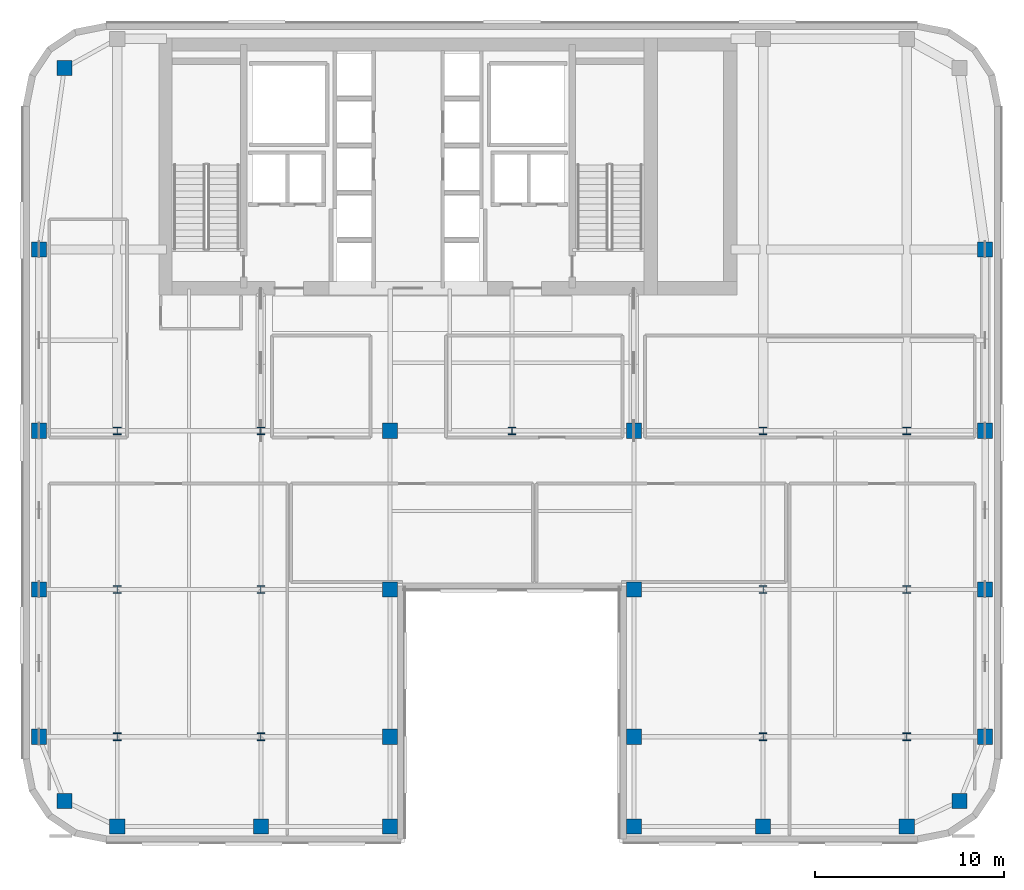
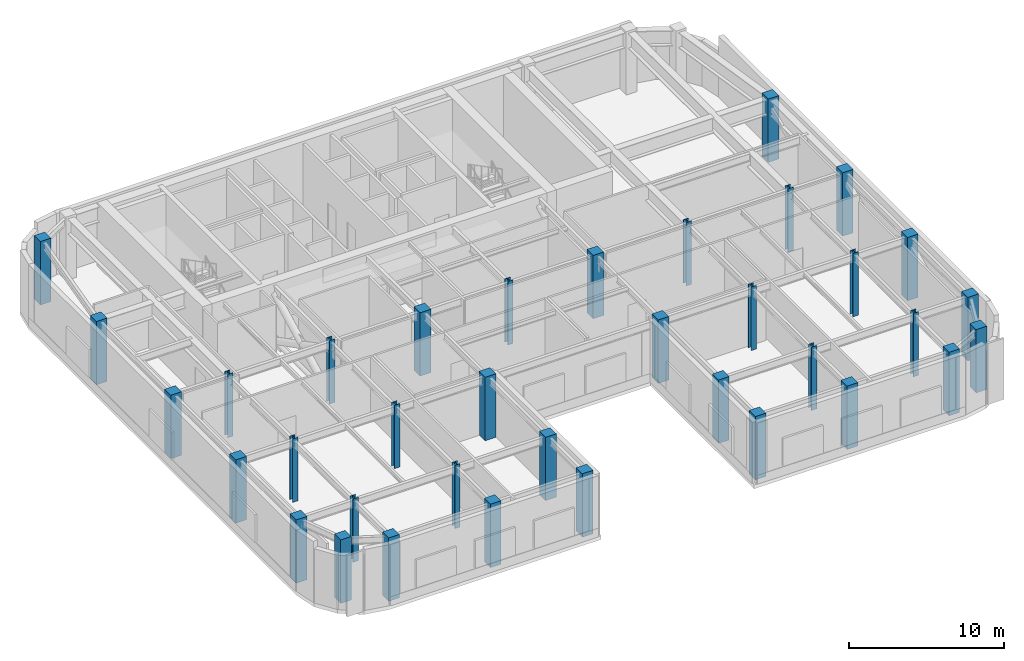
# One storey, part 1 of 12: 36 columns.
"""IFC4 building model written with IfcOpenShell, lengths in metres."""

from ifc_helpers import new_model, si_unit, direction, frame, origin, origin_2d, place, context, subcontext, project, spatial, rectangle, i_section, extrude, source, transform, mapped, material, material_profile, profile_set, type_object, type_shapes, element, save


model = new_model("IFC4")

# Units and contexts
model_context = context("Model", 3, precision=1e-05, world=origin(), true_north=direction((0.0, 1.0)))
body_context = subcontext(model_context, "Body", "Model", "MODEL_VIEW")
ifc_project = project(units=[si_unit("LENGTHUNIT", "METRE"), si_unit("AREAUNIT", "SQUARE_METRE"), si_unit("VOLUMEUNIT", "CUBIC_METRE"), si_unit("PLANEANGLEUNIT", "RADIAN"), si_unit("MASSUNIT", "GRAM", prefix="KILO")], contexts=[model_context])

# Site, building, storey
site_placement = place(None, origin())
site = spatial("IfcSite", under=ifc_project, at=site_placement, CompositionType="ELEMENT")
building_placement = place(site_placement, origin())
building = spatial("IfcBuilding", under=site, at=building_placement, Name="Tolvann Quenvar Hotel", CompositionType="ELEMENT")
storey_placement = place(building_placement, frame((0.0, 0.0, 182.550048828125)))
storey = spatial("IfcBuildingStorey", under=building, at=storey_placement, Name="L48", CompositionType="ELEMENT", Elevation=182.550048828125)

# Columns
ifc_material_1 = material(Name="Concrete N50 (50 MPa)", Category="concrete")
ifc_material_profile_1 = material_profile(ifc_material_1, rectangle(XDim=0.800048828125, YDim=0.800048828125, at=origin_2d()), Name="RC800x800")
ifc_profile_set_1 = profile_set([ifc_material_profile_1], Name="Concrete N50 (50 MPa)")
column_type_1 = type_object("IfcColumnType", Name="COL_RC800", PredefinedType="COLUMN", material=ifc_profile_set_1)
shared_shape_1 = source(origin(), body_context, "Body", "SweptSolid", [
    extrude(rectangle(XDim=0.800048828125, YDim=0.800048828125, at=origin_2d()), origin(), (0.0, 0.0, 1.0), 5.0),
])
type_shapes(column_type_1, [shared_shape_1])
for number, where, z_axis, x_axis, name in (
    (1, (4.800048828125, 4.800048828125, 0.0), (0.0, 0.0, 1.0), (1.0, 0.0, 0.0), "Column B2 (L48)"),
    (2, (3.449951171875, 8.199951171875, 0.0), (0.0, 0.0, 1.0), (1.0, 0.0, 0.0), "Column B3 (L48)"),
    (3, (3.449951171875, 16.0, 0.0), (0.0, 0.0, 1.0), (1.0, 0.0, 0.0), "Column B4 (L48)"),
    (4, (3.449951171875, 24.39990234375, 0.0), (0.0, 0.0, 1.0), (1.0, 0.0, 0.0), "Column B5 (L48)"),
    (5, (7.60009765625, 3.449951171875, 0.0), (0.0, 0.0, 1.0), (1.0, 0.0, 0.0), "Column C2 (L48)"),
    (6, (15.199951171875, 3.449951171875, 0.0), (0.0, 0.0, 1.0), (1.0, 0.0, 0.0), "Column D2 (L48)"),
    (7, (22.050048828125, 3.449951171875, 0.0), (0.0, 0.0, 1.0), (1.0, 0.0, 0.0), "Column E2 (L48)"),
    (8, (22.050048828125, 8.199951171875, 0.0), (0.0, 0.0, 1.0), (1.0, 0.0, 0.0), "Column E3 (L48)"),
    (9, (22.050048828125, 16.0, 0.0), (0.0, 0.0, 1.0), (1.0, 0.0, 0.0), "Column E4 (L48)"),
    (10, (22.050048828125, 24.39990234375, 0.0), (0.0, 0.0, 1.0), (1.0, 0.0, 0.0), "Column E5 (L48)"),
    (11, (34.949951171875, 3.449951171875, 0.0), (0.0, 0.0, 1.0), (1.0, 0.0, 0.0), "Column F2 (L48)"),
    (12, (34.949951171875, 8.199951171875, 0.0), (0.0, 0.0, 1.0), (1.0, 0.0, 0.0), "Column F3 (L48)"),
    (13, (34.949951171875, 16.0, 0.0), (0.0, 0.0, 1.0), (1.0, 0.0, 0.0), "Column F4 (L48)"),
    (14, (34.949951171875, 24.39990234375, 0.0), (0.0, 0.0, 1.0), (1.0, 0.0, 0.0), "Column F5 (L48)"),
    (15, (41.800048828125, 3.449951171875, 0.0), (0.0, 0.0, 1.0), (1.0, 0.0, 0.0), "Column H2 (L48)"),
    (16, (49.39990234375, 3.449951171875, 0.0), (0.0, 0.0, 1.0), (1.0, 0.0, 0.0), "Column I2 (L48)"),
    (17, (52.199951171875, 4.800048828125, 0.0), (0.0, 0.0, 1.0), (1.0, 0.0, 0.0), "Column J2 (L48)"),
    (18, (53.550048828125, 8.199951171875, 0.0), (0.0, 0.0, 1.0), (1.0, 0.0, 0.0), "Column J3 (L48)"),
    (19, (53.550048828125, 16.0, 0.0), (0.0, 0.0, 1.0), (1.0, 0.0, 0.0), "Column J4 (L48)"),
    (20, (53.550048828125, 24.39990234375, 0.0), (0.0, 0.0, 1.0), (1.0, 0.0, 0.0), "Column J5 (L48)"),
    (21, (4.800048828125, 43.60009765625, 0.0), (0.0, 0.0, 1.0), (1.0, 0.0, 0.0), "Column BN (L48)"),
    (22, (3.449951171875, 34.0, 0.0), (0.0, 0.0, 1.0), (1.0, 0.0, 0.0), "Column BD6 (L48)"),
    (23, (53.550048828125, 34.0, 0.0), (0.0, 0.0, 1.0), (1.0, 0.0, 0.0), "Column JD6 (L48)"),
):
    element("IfcColumn", number, at=place(storey_placement, frame(where, z_axis=z_axis, x_axis=x_axis)), inside=storey, type_object=column_type_1, Name=name, PredefinedType="COLUMN", context=body_context, shape_type="MappedRepresentation", body=[
        mapped(shared_shape_1, transform((0.0, 0.0, 0.0), x_axis=(1.0, 0.0, 0.0), y_axis=(0.0, 1.0, 0.0), z_axis=(0.0, 0.0, 1.0), scale=1.0)),
    ])
ifc_material_2 = material(Name="Steel Grade 350", Category="steel")
ifc_material_profile_2 = material_profile(ifc_material_2, i_section(OverallWidth=0.39990234375, OverallDepth=0.39990234375, WebThickness=0.02001953125, FlangeThickness=0.034912109375, at=origin_2d()), Name="400WC270")
ifc_profile_set_2 = profile_set([ifc_material_profile_2], Name="Steel Grade 350")
column_type_2 = type_object("IfcColumnType", Name="COL_400WC270", PredefinedType="COLUMN", material=ifc_profile_set_2)
shared_shape_2 = source(origin(), body_context, "Body", "SweptSolid", [
    extrude(i_section(OverallWidth=0.39990234375, OverallDepth=0.39990234375, WebThickness=0.02001953125, FlangeThickness=0.034912109375, at=origin_2d()), origin(), (0.0, 0.0, 1.0), 5.0),
])
type_shapes(column_type_2, [shared_shape_2])
for number, where, z_axis, x_axis, name in (
    (24, (7.60009765625, 8.199951171875, 0.0), (0.0, 0.0, 1.0), (1.0, 0.0, 0.0), "Column C3 (L48)"),
    (25, (7.60009765625, 16.0, 0.0), (0.0, 0.0, 1.0), (1.0, 0.0, 0.0), "Column C4 (L48)"),
    (26, (7.60009765625, 24.39990234375, 0.0), (0.0, 0.0, 1.0), (1.0, 0.0, 0.0), "Column C5 (L48)"),
    (27, (15.199951171875, 8.199951171875, 0.0), (0.0, 0.0, 1.0), (1.0, 0.0, 0.0), "Column D3 (L48)"),
    (28, (15.199951171875, 16.0, 0.0), (0.0, 0.0, 1.0), (1.0, 0.0, 0.0), "Column D4 (L48)"),
    (29, (15.199951171875, 24.39990234375, 0.0), (0.0, 0.0, 1.0), (1.0, 0.0, 0.0), "Column D5 (L48)"),
    (30, (41.800048828125, 8.199951171875, 0.0), (0.0, 0.0, 1.0), (1.0, 0.0, 0.0), "Column H3 (L48)"),
    (31, (41.800048828125, 16.0, 0.0), (0.0, 0.0, 1.0), (1.0, 0.0, 0.0), "Column H4 (L48)"),
    (32, (41.800048828125, 24.39990234375, 0.0), (0.0, 0.0, 1.0), (1.0, 0.0, 0.0), "Column H5 (L48)"),
    (33, (49.39990234375, 8.199951171875, 0.0), (0.0, 0.0, 1.0), (1.0, 0.0, 0.0), "Column I3 (L48)"),
    (34, (49.39990234375, 16.0, 0.0), (0.0, 0.0, 1.0), (1.0, 0.0, 0.0), "Column I4 (L48)"),
    (35, (49.39990234375, 24.39990234375, 0.0), (0.0, 0.0, 1.0), (1.0, 0.0, 0.0), "Column I5 (L48)"),
    (36, (28.5, 24.39990234375, 0.0), (0.0, 0.0, 1.0), (1.0, 0.0, 0.0), "Column M5 (L48)"),
):
    element("IfcColumn", number, at=place(storey_placement, frame(where, z_axis=z_axis, x_axis=x_axis)), inside=storey, type_object=column_type_2, Name=name, PredefinedType="COLUMN", context=body_context, shape_type="MappedRepresentation", body=[
        mapped(shared_shape_2, transform((0.0, 0.0, 0.0), x_axis=(1.0, 0.0, 0.0), y_axis=(0.0, 1.0, 0.0), z_axis=(0.0, 0.0, 1.0), scale=1.0)),
    ])

save(model, "model.ifc")
